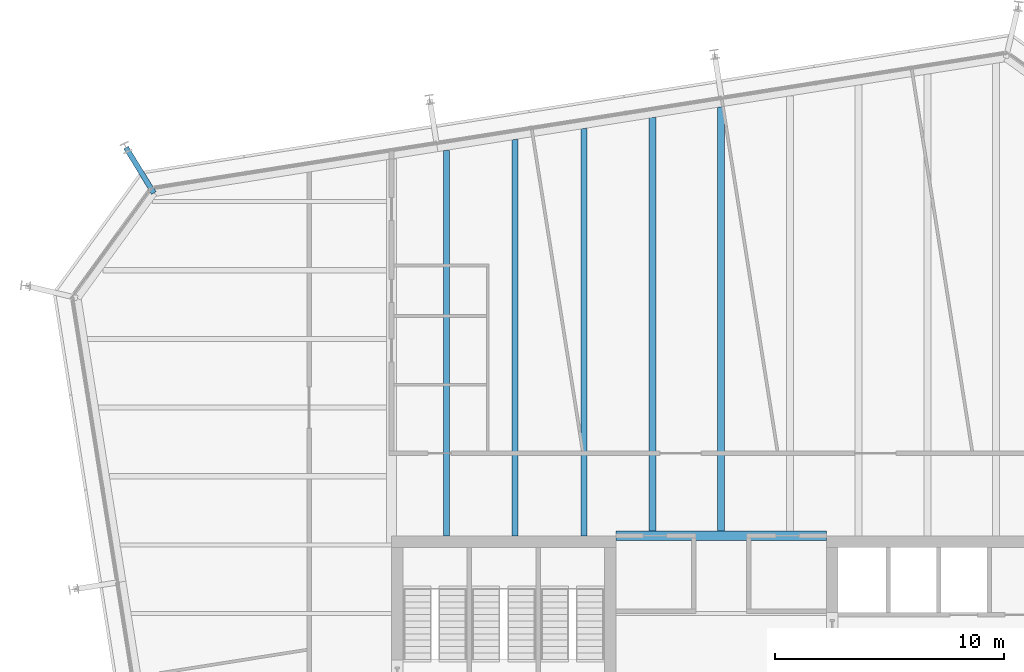
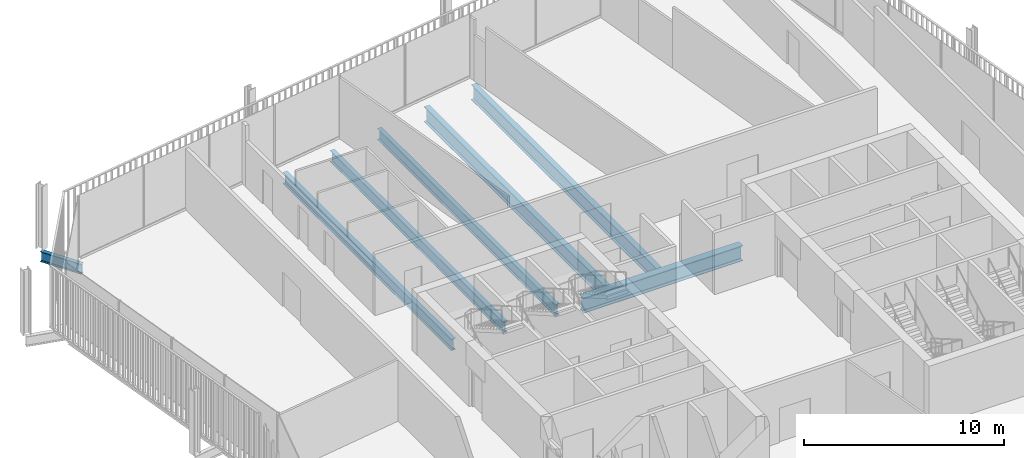
# One storey, part 11 of 20: 7 beams.
"""IFC4 building model written with IfcOpenShell, lengths in metres."""

from ifc_helpers import new_model, si_unit, direction, frame, origin, origin_2d, place, context, subcontext, project, spatial, i_section, extrude, material, material_profile, profile_set, type_object, element, save


model = new_model("IFC4")

# Units and contexts
model_context = context("Model", 3, precision=1e-05, world=origin(), true_north=direction((0.0, 1.0)))
body_context = subcontext(model_context, "Body", "Model", "MODEL_VIEW")
ifc_project = project(units=[si_unit("LENGTHUNIT", "METRE"), si_unit("AREAUNIT", "SQUARE_METRE"), si_unit("VOLUMEUNIT", "CUBIC_METRE"), si_unit("PLANEANGLEUNIT", "RADIAN"), si_unit("MASSUNIT", "GRAM", prefix="KILO")], contexts=[model_context])

# Site, building, storey
site_placement = place(None, origin())
site = spatial("IfcSite", under=ifc_project, at=site_placement, CompositionType="ELEMENT")
building_placement = place(site_placement, origin())
building = spatial("IfcBuilding", under=site, at=building_placement, Name="Millrace Tower", CompositionType="ELEMENT")
storey_placement = place(building_placement, frame((0.0, 0.0, 216.39990234375)))
storey = spatial("IfcBuildingStorey", under=building, at=storey_placement, Name="L49", CompositionType="ELEMENT", Elevation=216.39990234375)

# Beams
ifc_material_1 = material(Name="Steel ASTM A992 Grade 50", Category="steel")
ifc_material_profile_1 = material_profile(ifc_material_1, i_section(OverallWidth=0.256591796875, OverallDepth=0.693359375, WebThickness=0.014404296875, FlangeThickness=0.023681640625, FilletRadius=0.01513671875, at=origin_2d()))
ifc_profile_set_1 = profile_set([ifc_material_profile_1], Name="Steel ASTM A992 Grade 50")
beam_type_1 = type_object("IfcBeamType", Name="Floor beam W27x114", PredefinedType="JOIST", material=ifc_profile_set_1)
beam_1_placement = place(storey_placement, frame((-12.0, 9.39990234375, -0.506591796875), z_axis=(0.0, 1.0, 0.0), x_axis=(-1.0, 0.0, 0.0)))
element("IfcBeam", 1, at=beam_1_placement, inside=storey, type_object=beam_type_1, Name="BM-D-L49-S1-S036", PredefinedType="JOIST", context=body_context, shape_type="SweptSolid", body=[
    extrude(i_section(OverallWidth=0.256591796875, OverallDepth=0.693359375, WebThickness=0.014404296875, FlangeThickness=0.023681640625, FilletRadius=0.01513671875, at=origin_2d()), origin(), (0.0, 0.0, 1.0), 16.8369140625),
])
beam_2_placement = place(storey_placement, frame((-9.0, 9.39990234375, -0.506591796875), z_axis=(0.0, 1.0, 0.0), x_axis=(-1.0, 0.0, 0.0)))
element("IfcBeam", 2, at=beam_2_placement, inside=storey, type_object=beam_type_1, Name="BM-D-L49-S1-S038", PredefinedType="JOIST", context=body_context, shape_type="SweptSolid", body=[
    extrude(i_section(OverallWidth=0.256591796875, OverallDepth=0.693359375, WebThickness=0.014404296875, FlangeThickness=0.023681640625, FilletRadius=0.01513671875, at=origin_2d()), origin(), (0.0, 0.0, 1.0), 17.31201171875),
])
beam_3_placement = place(storey_placement, frame((-6.0, 9.39990234375, -0.506591796875), z_axis=(0.0, 1.0, 0.0), x_axis=(-1.0, 0.0, 0.0)))
element("IfcBeam", 3, at=beam_3_placement, inside=storey, type_object=beam_type_1, Name="BM-D-L49-S1-S040", PredefinedType="JOIST", context=body_context, shape_type="SweptSolid", body=[
    extrude(i_section(OverallWidth=0.256591796875, OverallDepth=0.693359375, WebThickness=0.014404296875, FlangeThickness=0.023681640625, FilletRadius=0.01513671875, at=origin_2d()), origin(), (0.0, 0.0, 1.0), 17.787109375),
])
ifc_material_2 = material(Name="Steel ASTM A992 Grade 50", Category="steel")
ifc_material_profile_2 = material_profile(ifc_material_2, i_section(OverallWidth=0.307373046875, OverallDepth=0.927001953125, WebThickness=0.01953125, FlangeThickness=0.031982421875, FilletRadius=0.01904296875, at=origin_2d()))
ifc_profile_set_2 = profile_set([ifc_material_profile_2], Name="Steel ASTM A992 Grade 50")
beam_type_2 = type_object("IfcBeamType", Name="Floor beam W36x194", PredefinedType="JOIST", material=ifc_profile_set_2)
beam_4_placement = place(storey_placement, frame((-3.0, 9.609619140625, -0.62353515625), z_axis=(0.0, 1.0, 0.0), x_axis=(-1.0, 0.0, 0.0)))
element("IfcBeam", 4, at=beam_4_placement, inside=storey, type_object=beam_type_2, Name="BM-D-L49-S1-S042", PredefinedType="JOIST", context=body_context, shape_type="SweptSolid", body=[
    extrude(i_section(OverallWidth=0.307373046875, OverallDepth=0.927001953125, WebThickness=0.01953125, FlangeThickness=0.031982421875, FilletRadius=0.01904296875, at=origin_2d()), origin(), (0.0, 0.0, 1.0), 18.052490234375),
])
beam_5_placement = place(storey_placement, frame((0.0, 9.609619140625, -0.62353515625), z_axis=(0.0, 1.0, 0.0), x_axis=(-1.0, 0.0, 0.0)))
element("IfcBeam", 5, at=beam_5_placement, inside=storey, type_object=beam_type_2, Name="BM-D-L49-S1-S044", PredefinedType="JOIST", context=body_context, shape_type="SweptSolid", body=[
    extrude(i_section(OverallWidth=0.307373046875, OverallDepth=0.927001953125, WebThickness=0.01953125, FlangeThickness=0.031982421875, FilletRadius=0.01904296875, at=origin_2d()), origin(), (0.0, 0.0, 1.0), 18.527587890625),
])
ifc_material_3 = material(Name="Steel ASTM A992 Grade 50", Category="steel")
ifc_material_profile_3 = material_profile(ifc_material_3, i_section(OverallWidth=0.419189453125, OverallDepth=0.927001953125, WebThickness=0.019287109375, FlangeThickness=0.031982421875, FilletRadius=0.024169921875, at=origin_2d()))
ifc_profile_set_3 = profile_set([ifc_material_profile_3], Name="Steel ASTM A992 Grade 50")
beam_type_3 = type_object("IfcBeamType", Name="Girder short span W36x231", PredefinedType="BEAM", material=ifc_profile_set_3)
beam_6_placement = place(storey_placement, frame((-4.60009765625, 9.39990234375, -0.62353515625), z_axis=(1.0, 0.0, 0.0), x_axis=(0.0, 1.0, 0.0)))
element("IfcBeam", 6, at=beam_6_placement, inside=storey, type_object=beam_type_3, Name="BM-D-L49-S1-G058", PredefinedType="BEAM", context=body_context, shape_type="SweptSolid", body=[
    extrude(i_section(OverallWidth=0.419189453125, OverallDepth=0.927001953125, WebThickness=0.019287109375, FlangeThickness=0.031982421875, FilletRadius=0.024169921875, at=origin_2d()), origin(), (0.0, 0.0, 1.0), 9.2001953125),
])
ifc_material_4 = material(Name="Steel ASTM A992 Grade 50", Category="steel")
ifc_material_profile_4 = material_profile(ifc_material_4, i_section(OverallWidth=0.23046875, OverallDepth=0.6171875, WebThickness=0.01318359375, FlangeThickness=0.022216796875, FilletRadius=0.012939453125, at=origin_2d()))
ifc_profile_set_4 = profile_set([ifc_material_profile_4], Name="Steel ASTM A992 Grade 50")
beam_type_4 = type_object("IfcBeamType", Name="Link beam W24x94", PredefinedType="BEAM", material=ifc_profile_set_4)
beam_7_placement = place(storey_placement, frame((-24.7783203125, 24.368408203125, -0.468505859375), z_axis=(-0.522512938711, 0.852631355792, 0.0), x_axis=(-0.852631355792, -0.522512938711, 0.0)))
element("IfcBeam", 7, at=beam_7_placement, inside=storey, type_object=beam_type_4, Name="LNK-D-L49-S1-05", PredefinedType="BEAM", context=body_context, shape_type="SweptSolid", body=[
    extrude(i_section(OverallWidth=0.23046875, OverallDepth=0.6171875, WebThickness=0.01318359375, FlangeThickness=0.022216796875, FilletRadius=0.012939453125, at=origin_2d()), origin(), (0.0, 0.0, 1.0), 2.3310546875),
])

save(model, "model.ifc")
